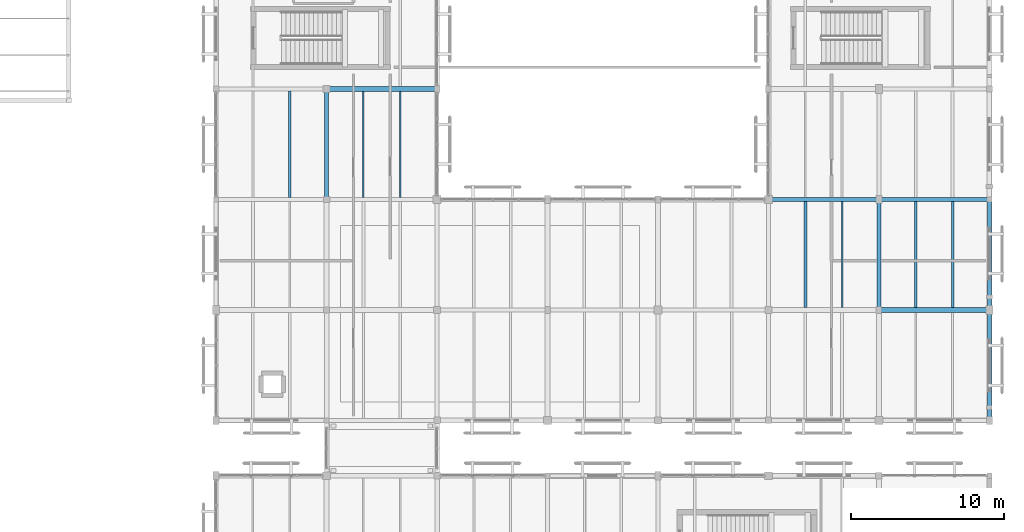
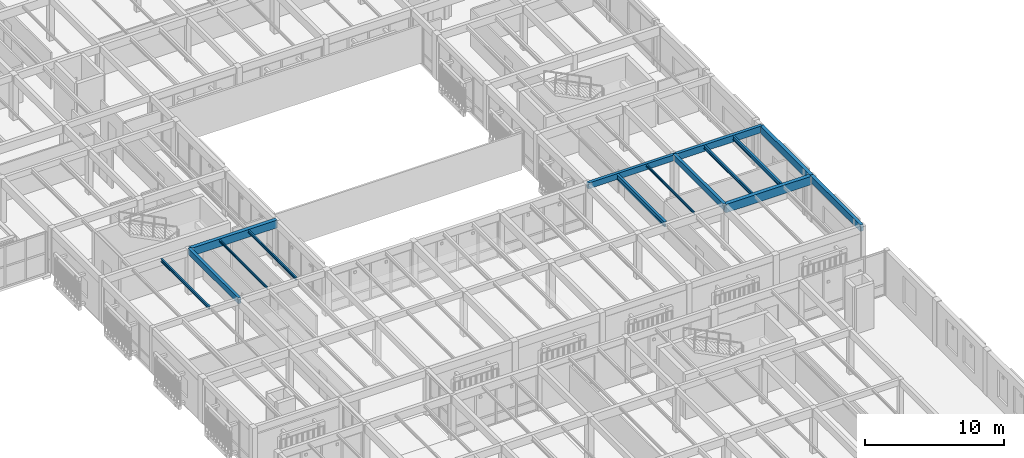
# One storey, part 146 of 217: 15 beams.
"""IFC4 building model written with IfcOpenShell, lengths in metres."""

from ifc_helpers import new_model, si_unit, direction, frame, origin, origin_2d, place, context, subcontext, project, spatial, rectangle, i_section, extrude, material, material_profile, profile_set, type_object, element, save


model = new_model("IFC4")

# Units and contexts
model_context = context("Model", 3, precision=1e-05, world=origin(), true_north=direction((0.0, 1.0)))
body_context = subcontext(model_context, "Body", "Model", "MODEL_VIEW")
ifc_project = project(units=[si_unit("LENGTHUNIT", "METRE"), si_unit("AREAUNIT", "SQUARE_METRE"), si_unit("VOLUMEUNIT", "CUBIC_METRE"), si_unit("PLANEANGLEUNIT", "RADIAN"), si_unit("MASSUNIT", "GRAM", prefix="KILO")], contexts=[model_context])

# Site, building, storey
site_placement = place(None, origin())
site = spatial("IfcSite", under=ifc_project, at=site_placement, CompositionType="ELEMENT")
building_placement = place(site_placement, origin())
building = spatial("IfcBuilding", under=site, at=building_placement, Name="Mazaris Harbour Polytechnic", CompositionType="ELEMENT")
storey_placement = place(building_placement, frame((0.0, 0.0, 9.60009765625)))
storey = spatial("IfcBuildingStorey", under=building, at=storey_placement, Name="L02", CompositionType="ELEMENT", Elevation=9.60009765625)

# Beams
ifc_material_1 = material(Name="Glulam GL32h", Category="wood")
ifc_material_profile_1 = material_profile(ifc_material_1, rectangle(XDim=0.239990234375, YDim=0.52001953125, at=origin_2d()), Name="RECT240x520")
ifc_profile_set_1 = profile_set([ifc_material_profile_1], Name="Glulam GL32h")
beam_type_1 = type_object("IfcBeamType", Name="Glulam Girder 240x520", PredefinedType="BEAM", material=ifc_profile_set_1)
beam_1_placement = place(storey_placement, frame((158.39990234375, 61.199951171875, 3.659912109375), z_axis=(1.0, 0.0, 0.0), x_axis=(0.0, 1.0, 0.0)))
element("IfcBeam", 1, at=beam_1_placement, inside=storey, type_object=beam_type_1, Name="V5 L02 Girder 3135", PredefinedType="BEAM", context=body_context, shape_type="SweptSolid", body=[
    extrude(rectangle(XDim=0.239990234375, YDim=0.52001953125, at=origin_2d()), origin(), (0.0, 0.0, 1.0), 7.2001953125),
])
for number, where, z_axis, x_axis, name in (
    (2, (129.60009765625, 61.199951171875, 3.659912109375), (0.0, 1.0, 0.0), (-1.0, 0.0, 0.0), "V5 L02 Tie Girder 3180"),
    (3, (165.60009765625, 54.0, 3.659912109375), (0.0, 1.0, 0.0), (-1.0, 0.0, 0.0), "V5 L02 Tie Girder 3210"),
):
    element("IfcBeam", number, at=place(storey_placement, frame(where, z_axis=z_axis, x_axis=x_axis)), inside=storey, type_object=beam_type_1, Name=name, PredefinedType="BEAM", context=body_context, shape_type="SweptSolid", body=[
        extrude(rectangle(XDim=0.239990234375, YDim=0.52001953125, at=origin_2d()), origin(), (0.0, 0.0, 1.0), 7.199951171875),
    ])
ifc_material_2 = material(Name="Glulam GL32h", Category="wood")
ifc_material_profile_2 = material_profile(ifc_material_2, rectangle(XDim=0.260009765625, YDim=0.580078125, at=origin_2d()), Name="RECT260x580")
ifc_profile_set_2 = profile_set([ifc_material_profile_2], Name="Glulam GL32h")
beam_type_2 = type_object("IfcBeamType", Name="Glulam Girder 260x580", PredefinedType="BEAM", material=ifc_profile_set_2)
beam_2_placement = place(storey_placement, frame((165.60009765625, 61.199951171875, 3.6298828125), z_axis=(1.0, 0.0, 0.0), x_axis=(0.0, 1.0, 0.0)))
element("IfcBeam", 4, at=beam_2_placement, inside=storey, type_object=beam_type_2, Name="V5 L02 Girder 3136", PredefinedType="BEAM", context=body_context, shape_type="SweptSolid", body=[
    extrude(rectangle(XDim=0.260009765625, YDim=0.580078125, at=origin_2d()), origin(), (0.0, 0.0, 1.0), 7.199951171875),
])
ifc_material_3 = material(Name="Glulam GL32h", Category="wood")
ifc_material_profile_3 = material_profile(ifc_material_3, rectangle(XDim=0.260009765625, YDim=0.580078125, at=origin_2d()), Name="RECT260x580")
ifc_profile_set_3 = profile_set([ifc_material_profile_3], Name="Glulam GL32h")
beam_type_3 = type_object("IfcBeamType", Name="Glulam Girder 260x580 Exterior", PredefinedType="BEAM", material=ifc_profile_set_3)
beam_3_placement = place(storey_placement, frame((172.800048828125, 46.800048828125, 3.6298828125), z_axis=(0.0, 1.0, 0.0), x_axis=(-1.0, 0.0, 0.0)))
element("IfcBeam", 5, at=beam_3_placement, inside=storey, type_object=beam_type_3, Name="V5 L02 Tie Girder 3216", PredefinedType="BEAM", context=body_context, shape_type="SweptSolid", body=[
    extrude(rectangle(XDim=0.260009765625, YDim=0.580078125, at=origin_2d()), origin(), (0.0, 0.0, 1.0), 7.199951171875),
])
ifc_material_4 = material(Name="Glulam GL32h", Category="wood")
ifc_material_profile_4 = material_profile(ifc_material_4, rectangle(XDim=0.280029296875, YDim=0.639892578125, at=origin_2d()), Name="RECT280x640")
ifc_profile_set_4 = profile_set([ifc_material_profile_4], Name="Glulam GL32h")
beam_type_4 = type_object("IfcBeamType", Name="Glulam Girder 280x640 Exterior", PredefinedType="BEAM", material=ifc_profile_set_4)
beam_4_placement = place(storey_placement, frame((172.800048828125, 54.0, 3.599853515625), z_axis=(0.0, 1.0, 0.0), x_axis=(-1.0, 0.0, 0.0)))
element("IfcBeam", 6, at=beam_4_placement, inside=storey, type_object=beam_type_4, Name="V5 L02 Tie Girder 3217", PredefinedType="BEAM", context=body_context, shape_type="SweptSolid", body=[
    extrude(rectangle(XDim=0.280029296875, YDim=0.639892578125, at=origin_2d()), origin(), (0.0, 0.0, 1.0), 7.199951171875),
])
ifc_material_5 = material(Name="Glulam GL32h", Category="wood")
ifc_material_profile_5 = material_profile(ifc_material_5, rectangle(XDim=0.300048828125, YDim=0.679931640625, at=origin_2d()), Name="RECT300x680")
ifc_profile_set_5 = profile_set([ifc_material_profile_5], Name="Glulam GL32h")
beam_type_5 = type_object("IfcBeamType", Name="Glulam Girder 300x680", PredefinedType="BEAM", material=ifc_profile_set_5)
beam_5_placement = place(storey_placement, frame((129.60009765625, 68.39990234375, 3.579833984375), z_axis=(1.0, 0.0, 0.0), x_axis=(0.0, 1.0, 0.0)))
element("IfcBeam", 7, at=beam_5_placement, inside=storey, type_object=beam_type_5, Name="V5 L02 Girder 3138", PredefinedType="BEAM", context=body_context, shape_type="SweptSolid", body=[
    extrude(rectangle(XDim=0.300048828125, YDim=0.679931640625, at=origin_2d()), origin(), (0.0, 0.0, 1.0), 7.199951171875),
])
ifc_material_6 = material(Name="Glulam GL32h", Category="wood")
ifc_material_profile_6 = material_profile(ifc_material_6, rectangle(XDim=0.320068359375, YDim=0.739990234375, at=origin_2d()), Name="RECT320x740")
ifc_profile_set_6 = profile_set([ifc_material_profile_6], Name="Glulam GL32h")
beam_type_6 = type_object("IfcBeamType", Name="Glulam Girder 320x740", PredefinedType="BEAM", material=ifc_profile_set_6)
beam_6_placement = place(storey_placement, frame((165.60009765625, 54.0, 3.5498046875), z_axis=(1.0, 0.0, 0.0), x_axis=(0.0, 1.0, 0.0)))
element("IfcBeam", 8, at=beam_6_placement, inside=storey, type_object=beam_type_6, Name="V5 L02 Girder 3129", PredefinedType="BEAM", context=body_context, shape_type="SweptSolid", body=[
    extrude(rectangle(XDim=0.320068359375, YDim=0.739990234375, at=origin_2d()), origin(), (0.0, 0.0, 1.0), 7.199951171875),
])
ifc_material_7 = material(Name="Steel S355", Category="steel")
ifc_material_profile_7 = material_profile(ifc_material_7, i_section(OverallWidth=0.10009765625, OverallDepth=0.199951171875, WebThickness=0.005615234375, FlangeThickness=0.008544921875, FilletRadius=0.011962890625, at=origin_2d()), Name="IPE 200")
ifc_profile_set_7 = profile_set([ifc_material_profile_7], Name="Steel S355")
beam_type_7 = type_object("IfcBeamType", Name="Steel Joist IPE200", PredefinedType="JOIST", material=ifc_profile_set_7)
beam_7_placement = place(storey_placement, frame((132.0, 61.330078125, 3.81982421875), z_axis=(0.0, 1.0, 0.0), x_axis=(-1.0, 0.0, 0.0)))
element("IfcBeam", 9, at=beam_7_placement, inside=storey, type_object=beam_type_7, Name="V5 L02 Floor Joist 3241", PredefinedType="JOIST", context=body_context, shape_type="SweptSolid", body=[
    extrude(i_section(OverallWidth=0.10009765625, OverallDepth=0.199951171875, WebThickness=0.005615234375, FlangeThickness=0.008544921875, FilletRadius=0.011962890625, at=origin_2d()), origin(), (0.0, 0.0, 1.0), 6.919921875),
])
beam_8_placement = place(storey_placement, frame((163.199951171875, 54.14990234375, 3.81982421875), z_axis=(0.0, 1.0, 0.0), x_axis=(-1.0, 0.0, 0.0)))
element("IfcBeam", 10, at=beam_8_placement, inside=storey, type_object=beam_type_7, Name="V5 L02 Floor Joist 3276", PredefinedType="JOIST", context=body_context, shape_type="SweptSolid", body=[
    extrude(i_section(OverallWidth=0.10009765625, OverallDepth=0.199951171875, WebThickness=0.005615234375, FlangeThickness=0.008544921875, FilletRadius=0.011962890625, at=origin_2d()), origin(), (0.0, 0.0, 1.0), 6.93017578125),
])
ifc_material_8 = material(Name="Steel S355", Category="steel")
ifc_material_profile_8 = material_profile(ifc_material_8, i_section(OverallWidth=0.1201171875, OverallDepth=0.239990234375, WebThickness=0.006103515625, FlangeThickness=0.009765625, FilletRadius=0.014892578125, at=origin_2d()), Name="IPE 240")
ifc_profile_set_8 = profile_set([ifc_material_profile_8], Name="Steel S355")
beam_type_8 = type_object("IfcBeamType", Name="Steel Joist IPE240", PredefinedType="JOIST", material=ifc_profile_set_8)
beam_9_placement = place(storey_placement, frame((134.39990234375, 61.330078125, 3.7998046875), z_axis=(0.0, 1.0, 0.0), x_axis=(-1.0, 0.0, 0.0)))
element("IfcBeam", 11, at=beam_9_placement, inside=storey, type_object=beam_type_8, Name="V5 L02 Floor Joist 3242", PredefinedType="JOIST", context=body_context, shape_type="SweptSolid", body=[
    extrude(i_section(OverallWidth=0.1201171875, OverallDepth=0.239990234375, WebThickness=0.006103515625, FlangeThickness=0.009765625, FilletRadius=0.014892578125, at=origin_2d()), origin(), (0.0, 0.0, 1.0), 6.919921875),
])
ifc_material_9 = material(Name="Steel S355", Category="steel")
ifc_material_profile_9 = material_profile(ifc_material_9, i_section(OverallWidth=0.135009765625, OverallDepth=0.27001953125, WebThickness=0.006591796875, FlangeThickness=0.01025390625, FilletRadius=0.014892578125, at=origin_2d()), Name="IPE 270")
ifc_profile_set_9 = profile_set([ifc_material_profile_9], Name="Steel S355")
beam_type_9 = type_object("IfcBeamType", Name="Steel Joist IPE270", PredefinedType="JOIST", material=ifc_profile_set_9)
beam_10_placement = place(storey_placement, frame((127.199951171875, 61.320068359375, 3.784912109375), z_axis=(0.0, 1.0, 0.0), x_axis=(-1.0, 0.0, 0.0)))
element("IfcBeam", 12, at=beam_10_placement, inside=storey, type_object=beam_type_9, Name="V5 L02 Floor Joist 3229", PredefinedType="JOIST", context=body_context, shape_type="SweptSolid", body=[
    extrude(i_section(OverallWidth=0.135009765625, OverallDepth=0.27001953125, WebThickness=0.006591796875, FlangeThickness=0.01025390625, FilletRadius=0.014892578125, at=origin_2d()), origin(), (0.0, 0.0, 1.0), 6.93994140625),
])
ifc_material_10 = material(Name="Steel S355", Category="steel")
ifc_material_profile_10 = material_profile(ifc_material_10, i_section(OverallWidth=0.14990234375, OverallDepth=0.300048828125, WebThickness=0.007080078125, FlangeThickness=0.0107421875, FilletRadius=0.014892578125, at=origin_2d()), Name="IPE 300")
ifc_profile_set_10 = profile_set([ifc_material_profile_10], Name="Steel S355")
beam_type_10 = type_object("IfcBeamType", Name="Steel Joist IPE300", PredefinedType="JOIST", material=ifc_profile_set_10)
beam_11_placement = place(storey_placement, frame((168.0, 54.159912109375, 3.77001953125), z_axis=(0.0, 1.0, 0.0), x_axis=(-1.0, 0.0, 0.0)))
element("IfcBeam", 13, at=beam_11_placement, inside=storey, type_object=beam_type_10, Name="V5 L02 Floor Joist 3286", PredefinedType="JOIST", context=body_context, shape_type="SweptSolid", body=[
    extrude(i_section(OverallWidth=0.14990234375, OverallDepth=0.300048828125, WebThickness=0.007080078125, FlangeThickness=0.0107421875, FilletRadius=0.014892578125, at=origin_2d()), origin(), (0.0, 0.0, 1.0), 6.91015625),
])
ifc_material_11 = material(Name="Steel S355", Category="steel")
ifc_material_profile_11 = material_profile(ifc_material_11, i_section(OverallWidth=0.169921875, OverallDepth=0.360107421875, WebThickness=0.008056640625, FlangeThickness=0.0126953125, FilletRadius=0.01806640625, at=origin_2d()), Name="IPE 360")
ifc_profile_set_11 = profile_set([ifc_material_profile_11], Name="Steel S355")
beam_type_11 = type_object("IfcBeamType", Name="Steel Joist IPE360", PredefinedType="JOIST", material=ifc_profile_set_11)
beam_12_placement = place(storey_placement, frame((170.39990234375, 54.159912109375, 3.739990234375), z_axis=(0.0, 1.0, 0.0), x_axis=(-1.0, 0.0, 0.0)))
element("IfcBeam", 14, at=beam_12_placement, inside=storey, type_object=beam_type_11, Name="V5 L02 Floor Joist 3287", PredefinedType="JOIST", context=body_context, shape_type="SweptSolid", body=[
    extrude(i_section(OverallWidth=0.169921875, OverallDepth=0.360107421875, WebThickness=0.008056640625, FlangeThickness=0.0126953125, FilletRadius=0.01806640625, at=origin_2d()), origin(), (0.0, 0.0, 1.0), 6.91015625),
])
ifc_material_12 = material(Name="Steel S355", Category="steel")
ifc_material_profile_12 = material_profile(ifc_material_12, i_section(OverallWidth=0.18994140625, OverallDepth=0.449951171875, WebThickness=0.009521484375, FlangeThickness=0.0146484375, FilletRadius=0.02099609375, at=origin_2d()), Name="IPE 450")
ifc_profile_set_12 = profile_set([ifc_material_profile_12], Name="Steel S355")
beam_type_12 = type_object("IfcBeamType", Name="Steel Joist IPE450", PredefinedType="JOIST", material=ifc_profile_set_12)
beam_13_placement = place(storey_placement, frame((160.800048828125, 54.14990234375, 3.69482421875), z_axis=(0.0, 1.0, 0.0), x_axis=(-1.0, 0.0, 0.0)))
element("IfcBeam", 15, at=beam_13_placement, inside=storey, type_object=beam_type_12, Name="V5 L02 Floor Joist 3275", PredefinedType="JOIST", context=body_context, shape_type="SweptSolid", body=[
    extrude(i_section(OverallWidth=0.18994140625, OverallDepth=0.449951171875, WebThickness=0.009521484375, FlangeThickness=0.0146484375, FilletRadius=0.02099609375, at=origin_2d()), origin(), (0.0, 0.0, 1.0), 6.93017578125),
])

save(model, "model.ifc")
